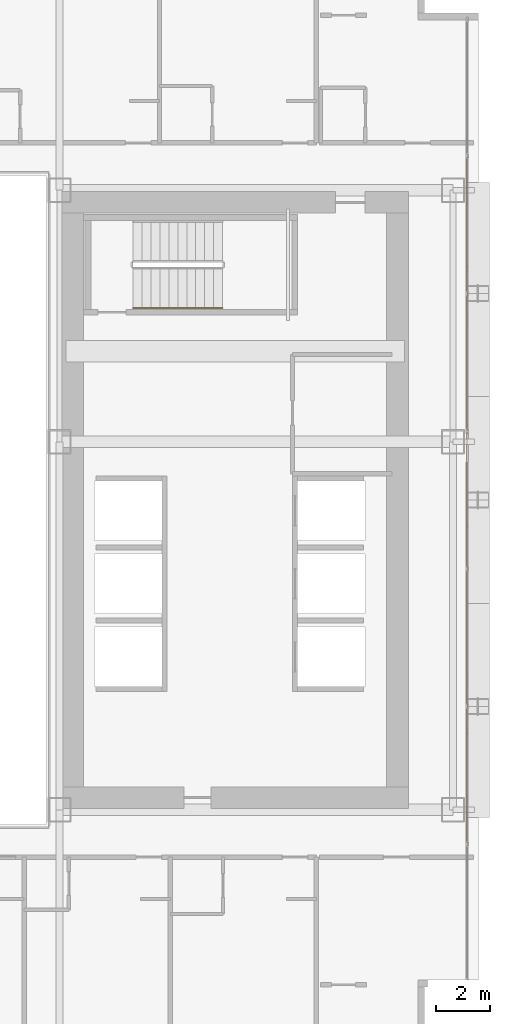
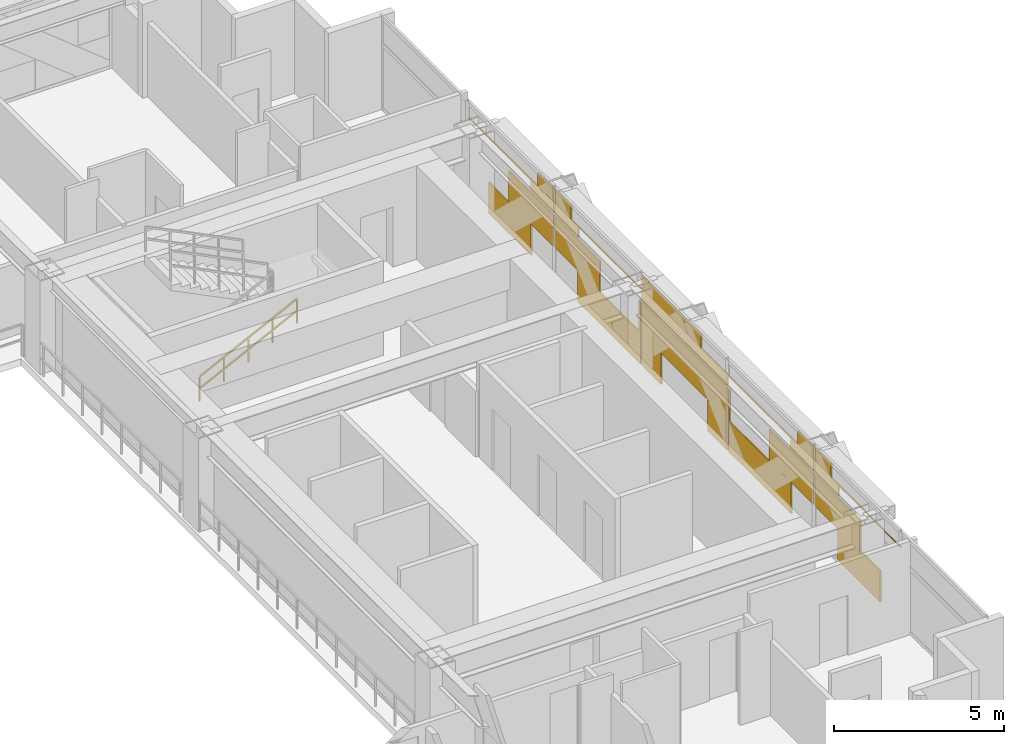
# One storey, part 34 of 35: 1 covering, 1 railing.
"""IFC4 building model written with IfcOpenShell, lengths in metres."""

from ifc_helpers import new_model, si_unit, direction, frame, origin, origin_2d, place, context, subcontext, project, spatial, rectangle, extrude, material, layer, layer_set, type_object, element, save


model = new_model("IFC4")

# Units and contexts
model_context = context("Model", 3, precision=1e-05, world=origin(), true_north=direction((0.0, 1.0)))
body_context = subcontext(model_context, "Body", "Model", "MODEL_VIEW")
ifc_project = project(units=[si_unit("LENGTHUNIT", "METRE"), si_unit("AREAUNIT", "SQUARE_METRE"), si_unit("VOLUMEUNIT", "CUBIC_METRE"), si_unit("PLANEANGLEUNIT", "RADIAN"), si_unit("MASSUNIT", "GRAM", prefix="KILO")], contexts=[model_context])

# Site, building, storey
site_placement = place(None, origin())
site = spatial("IfcSite", under=ifc_project, at=site_placement, CompositionType="ELEMENT")
building_placement = place(site_placement, origin())
building = spatial("IfcBuilding", under=site, at=building_placement, Name="Ocotamira Hotel", CompositionType="ELEMENT")
storey_placement = place(building_placement, frame((0.0, 0.0, 56.39990234375)))
storey = spatial("IfcBuildingStorey", under=building, at=storey_placement, Name="L13", CompositionType="ELEMENT", Elevation=56.39990234375)

# Covering
ifc_material_1 = material(Name="Insulated pale-metal aluminium spandrel panel", Category="aluminium")
ifc_layer = layer(ifc_material_1, 0.044921875)
ifc_layer_set = layer_set([ifc_layer], Name="Insulated pale-metal aluminium spandrel panel")
covering_type = type_object("IfcCoveringType", Name="COV-INFILL-45", PredefinedType="CLADDING", material=ifc_layer_set)
covering_placement = place(storey_placement, origin())
element("IfcCovering", 1, at=covering_placement, inside=storey, type_object=covering_type, Name="L13 Curtain Wall Infill CW-2 CW-L13-E", PredefinedType="CLADDING", context=body_context, shape_type="SweptSolid", body=[
    extrude(rectangle(XDim=2.49658203125, YDim=0.044921875, at=origin_2d()), frame((55.580078125, 15.752685546875, 0.07568359375), z_axis=(0.0, 0.0, 1.0), x_axis=(0.0, 1.0, 0.0)), (0.0, 0.0, 1.0), 1.11767578125),
    extrude(rectangle(XDim=2.640625, YDim=0.044921875, at=origin_2d()), frame((55.580078125, 17.010498046875, 1.1943359375), z_axis=(0.0, 0.0, 1.0), x_axis=(0.0, 1.0, 0.0)), (0.0, 0.0, 1.0), 1.11767578125),
    extrude(rectangle(XDim=5.004638671875, YDim=0.044921875, at=origin_2d()), frame((55.580078125, 15.82861328125, 2.756103515625), z_axis=(0.0, 0.0, 1.0), x_axis=(0.0, 1.0, 0.0)), (0.0, 0.0, 1.0), 0.033203125),
    extrude(rectangle(XDim=1.375, YDim=0.044921875, at=origin_2d()), frame((55.580078125, 17.643310546875, 2.38818359375), z_axis=(0.0, 0.0, 1.0), x_axis=(0.0, 1.0, 0.0)), (0.0, 0.0, 1.0), 0.366943359375),
    extrude(rectangle(XDim=0.948486328125, YDim=0.044921875, at=origin_2d()), frame((55.580078125, 17.856689453125, 2.79052734375), z_axis=(0.0, 0.0, 1.0), x_axis=(0.0, 1.0, 0.0)), (0.0, 0.0, 1.0), 0.484130859375),
    extrude(rectangle(XDim=2.631103515625, YDim=0.044921875, at=origin_2d()), frame((55.580078125, 19.727294921875, 1.1943359375), z_axis=(0.0, 0.0, 1.0), x_axis=(0.0, 1.0, 0.0)), (0.0, 0.0, 1.0), 1.11767578125),
    extrude(rectangle(XDim=3.684326171875, YDim=0.044921875, at=origin_2d()), frame((55.580078125, 21.574462890625, 0.07568359375), z_axis=(0.0, 0.0, 1.0), x_axis=(0.0, 1.0, 0.0)), (0.0, 0.0, 1.0), 1.11767578125),
    extrude(rectangle(XDim=0.093017578125, YDim=0.044921875, at=origin_2d()), frame((55.580078125, 23.3701171875, 1.1943359375), z_axis=(0.0, 0.0, 1.0), x_axis=(0.0, 1.0, 0.0)), (0.0, 0.0, 1.0), 1.11767578125),
    extrude(rectangle(XDim=1.365478515625, YDim=0.044921875, at=origin_2d()), frame((55.580078125, 19.094482421875, 2.38818359375), z_axis=(0.0, 0.0, 1.0), x_axis=(0.0, 1.0, 0.0)), (0.0, 0.0, 1.0), 0.366943359375),
    extrude(rectangle(XDim=5.004638671875, YDim=0.044921875, at=origin_2d()), frame((55.580078125, 20.914306640625, 2.756103515625), z_axis=(0.0, 0.0, 1.0), x_axis=(0.0, 1.0, 0.0)), (0.0, 0.0, 1.0), 0.033203125),
    extrude(rectangle(XDim=0.93896484375, YDim=0.044921875, at=origin_2d()), frame((55.580078125, 18.88134765625, 2.79052734375), z_axis=(0.0, 0.0, 1.0), x_axis=(0.0, 1.0, 0.0)), (0.0, 0.0, 1.0), 0.484130859375),
    extrude(rectangle(XDim=1.13671875, YDim=0.044921875, at=origin_2d()), frame((55.580078125, 24.06591796875, 0.07568359375), z_axis=(0.0, 0.0, 1.0), x_axis=(0.0, 1.0, 0.0)), (0.0, 0.0, 1.0), 1.11767578125),
    extrude(rectangle(XDim=5.004638671875, YDim=0.044921875, at=origin_2d()), frame((55.580078125, 26.0, 1.1943359375), z_axis=(0.0, 0.0, 1.0), x_axis=(0.0, 1.0, 0.0)), (0.0, 0.0, 1.0), 1.11767578125),
    extrude(rectangle(XDim=1.13671875, YDim=0.044921875, at=origin_2d()), frame((55.580078125, 27.93408203125, 0.07568359375), z_axis=(0.0, 0.0, 1.0), x_axis=(0.0, 1.0, 0.0)), (0.0, 0.0, 1.0), 1.11767578125),
    extrude(rectangle(XDim=5.004638671875, YDim=0.044921875, at=origin_2d()), frame((55.580078125, 26.0, 2.387939453125), z_axis=(0.0, 0.0, 1.0), x_axis=(0.0, 1.0, 0.0)), (0.0, 0.0, 1.0), 0.4013671875),
    extrude(rectangle(XDim=3.486572265625, YDim=0.044921875, at=origin_2d()), frame((55.580078125, 26.759033203125, 2.79052734375), z_axis=(0.0, 0.0, 1.0), x_axis=(0.0, 1.0, 0.0)), (0.0, 0.0, 1.0), 0.484130859375),
    extrude(rectangle(XDim=3.684326171875, YDim=0.044921875, at=origin_2d()), frame((55.580078125, 30.425537109375, 0.07568359375), z_axis=(0.0, 0.0, 1.0), x_axis=(0.0, 1.0, 0.0)), (0.0, 0.0, 1.0), 1.11767578125),
    extrude(rectangle(XDim=0.093017578125, YDim=0.044921875, at=origin_2d()), frame((55.580078125, 28.6298828125, 1.1943359375), z_axis=(0.0, 0.0, 1.0), x_axis=(0.0, 1.0, 0.0)), (0.0, 0.0, 1.0), 1.11767578125),
    extrude(rectangle(XDim=2.631103515625, YDim=0.044921875, at=origin_2d()), frame((55.580078125, 32.272705078125, 1.1943359375), z_axis=(0.0, 0.0, 1.0), x_axis=(0.0, 1.0, 0.0)), (0.0, 0.0, 1.0), 1.11767578125),
    extrude(rectangle(XDim=5.004638671875, YDim=0.044921875, at=origin_2d()), frame((55.580078125, 31.085693359375, 2.756103515625), z_axis=(0.0, 0.0, 1.0), x_axis=(0.0, 1.0, 0.0)), (0.0, 0.0, 1.0), 0.033203125),
    extrude(rectangle(XDim=1.365478515625, YDim=0.044921875, at=origin_2d()), frame((55.580078125, 32.905517578125, 2.38818359375), z_axis=(0.0, 0.0, 1.0), x_axis=(0.0, 1.0, 0.0)), (0.0, 0.0, 1.0), 0.366943359375),
    extrude(rectangle(XDim=0.93896484375, YDim=0.044921875, at=origin_2d()), frame((55.580078125, 33.11865234375, 2.79052734375), z_axis=(0.0, 0.0, 1.0), x_axis=(0.0, 1.0, 0.0)), (0.0, 0.0, 1.0), 0.484130859375),
    extrude(rectangle(XDim=2.640625, YDim=0.044921875, at=origin_2d()), frame((55.580078125, 34.989501953125, 1.1943359375), z_axis=(0.0, 0.0, 1.0), x_axis=(0.0, 1.0, 0.0)), (0.0, 0.0, 1.0), 1.11767578125),
    extrude(rectangle(XDim=2.49658203125, YDim=0.044921875, at=origin_2d()), frame((55.580078125, 36.247314453125, 0.07568359375), z_axis=(0.0, 0.0, 1.0), x_axis=(0.0, 1.0, 0.0)), (0.0, 0.0, 1.0), 1.11767578125),
    extrude(rectangle(XDim=1.375, YDim=0.044921875, at=origin_2d()), frame((55.580078125, 34.356689453125, 2.38818359375), z_axis=(0.0, 0.0, 1.0), x_axis=(0.0, 1.0, 0.0)), (0.0, 0.0, 1.0), 0.366943359375),
    extrude(rectangle(XDim=5.004638671875, YDim=0.044921875, at=origin_2d()), frame((55.580078125, 36.17138671875, 2.756103515625), z_axis=(0.0, 0.0, 1.0), x_axis=(0.0, 1.0, 0.0)), (0.0, 0.0, 1.0), 0.033203125),
    extrude(rectangle(XDim=0.948486328125, YDim=0.044921875, at=origin_2d()), frame((55.580078125, 34.143310546875, 2.79052734375), z_axis=(0.0, 0.0, 1.0), x_axis=(0.0, 1.0, 0.0)), (0.0, 0.0, 1.0), 0.484130859375),
])

# Railing
ifc_material_2 = material(Name="Brushed stainless steel handrail", Category="steel")
railing_type = type_object("IfcRailingType", Name="RL-HAND-900", PredefinedType="HANDRAIL", material=ifc_material_2)
railing_placement = place(storey_placement, frame((43.22998046875, 33.10009765625, 0.327392578125)))
element("IfcRailing", 2, at=railing_placement, inside=storey, type_object=railing_type, Name="L13 ST-4 stair handrail 1", PredefinedType="HANDRAIL", context=body_context, shape_type="SweptSolid", body=[
    extrude(rectangle(XDim=0.048095703125, YDim=0.048095703125, at=origin_2d()), frame((0.0, 0.0, 0.8759765625), z_axis=(0.895920123917, 0.0, 0.444215186098), x_axis=(0.0, 1.0, 0.0)), (0.0, 0.0, 1.0), 3.683349609375),
    extrude(rectangle(XDim=0.048095703125, YDim=0.048095703125, at=origin_2d()), frame((0.0, 0.0, 0.449951171875), z_axis=(0.895920123917, 0.0, 0.444215186098), x_axis=(0.0, 1.0, 0.0)), (0.0, 0.0, 1.0), 3.683349609375),
    extrude(rectangle(XDim=0.0419921875, YDim=0.0419921875, at=origin_2d()), origin(), (0.0, 0.0, 1.0), 0.851806640625),
    extrude(rectangle(XDim=0.0419921875, YDim=0.0419921875, at=origin_2d()), frame((0.824951171875, 0.0, 0.4091796875)), (0.0, 0.0, 1.0), 0.851806640625),
    extrude(rectangle(XDim=0.0419921875, YDim=0.0419921875, at=origin_2d()), frame((1.64990234375, 0.0, 0.818115234375)), (0.0, 0.0, 1.0), 0.851806640625),
    extrude(rectangle(XDim=0.0419921875, YDim=0.0419921875, at=origin_2d()), frame((2.47509765625, 0.0, 1.22705078125)), (0.0, 0.0, 1.0), 0.851806640625),
    extrude(rectangle(XDim=0.0419921875, YDim=0.0419921875, at=origin_2d()), frame((3.300048828125, 0.0, 1.63623046875)), (0.0, 0.0, 1.0), 0.851806640625),
])

save(model, "model.ifc")
